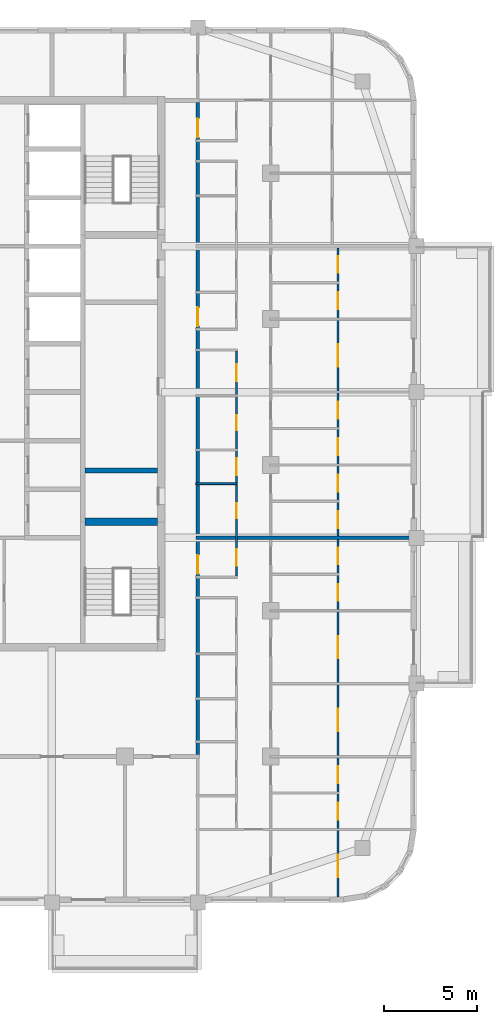
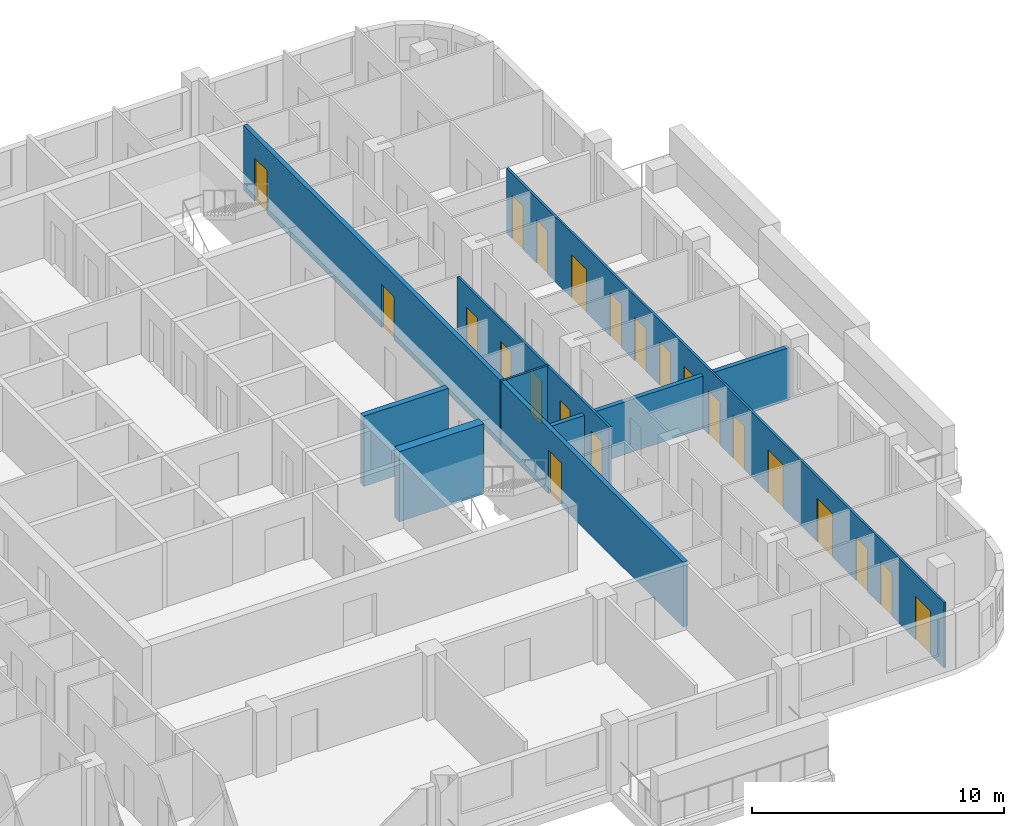
# One storey, part 7 of 16: 22 doors, 7 walls, 22 openings.
"""IFC4 building model written with IfcOpenShell, lengths in metres."""

import ifcopenshell
import ifcopenshell.guid

model = None  # the IFC model being written
_history = None  # IfcOwnerHistory: only IFC2X3 demands one
_inside = {}  # id of a spatial element -> (the spatial element, [elements in it])
_under = {}  # id of a project, library or spatial element -> (it, [spatial elements below it])
_declared = {}  # id of a project -> (the project, [libraries it declares])
_typed = {}  # id of a type object -> (the type object, [elements of that type])
_made_of = {}  # id of a material, layer set ... -> (it, [elements and type objects made of it])


def new_model(schema):
    """Start an empty IFC model of exactly this schema.

    Asked for "IFC4X3", IfcOpenShell would pick the latest addendum, in which some entities
    have other attributes; the version numbers below select the first issue.
    IFC2X3 requires an IfcOwnerHistory on every rooted entity: one is made here for all.
    """
    global model, _history
    if schema == "IFC4X3":
        model = ifcopenshell.file(schema_version=(4, 3, 0, 0))
    else:
        model = ifcopenshell.file(schema=schema)
    _inside.clear()
    _under.clear()
    _declared.clear()
    _typed.clear()
    _made_of.clear()
    _history = None
    if model.schema == "IFC2X3":
        org = make("IfcOrganization", Name="unknown")
        user = make(
            "IfcPersonAndOrganization",
            ThePerson=make("IfcPerson", FamilyName="unknown"),
            TheOrganization=org,
        )
        app = make(
            "IfcApplication",
            ApplicationDeveloper=org,
            Version="unknown",
            ApplicationFullName="unknown",
            ApplicationIdentifier="unknown",
        )
        _history = make(
            "IfcOwnerHistory",
            OwningUser=user,
            OwningApplication=app,
            ChangeAction="ADDED",
            CreationDate=0,
        )
    return model


def make(cls, **values):
    """One entity of the class cls with the attributes given. An attribute that is None is left unset."""
    return model.create_entity(
        cls, **{name: value for name, value in values.items() if value is not None}
    )


def rooted(cls, **values):
    """An entity with a GlobalId (a new one), such as an element, a storey or a relation."""
    return make(cls, GlobalId=ifcopenshell.guid.new(), OwnerHistory=_history, **values)


def si_unit(unit_type, name, prefix=None):
    """IfcSIUnit, for example si_unit("LENGTHUNIT", "METRE", prefix="MILLI")."""
    return make("IfcSIUnit", UnitType=unit_type, Prefix=prefix, Name=name)


def assignment(units):
    """IfcUnitAssignment: the units of a project."""
    return None if units is None else make("IfcUnitAssignment", Units=units)


def point(xyz):
    """IfcCartesianPoint."""
    return None if xyz is None else make("IfcCartesianPoint", Coordinates=xyz)


def direction(xyz):
    """IfcDirection."""
    return None if xyz is None else make("IfcDirection", DirectionRatios=xyz)


def frame(location, z_axis=None, x_axis=None):
    """IfcAxis2Placement3D, a coordinate frame: its origin and axes. An axis left out is left unset."""
    return make(
        "IfcAxis2Placement3D",
        Location=point(location),
        Axis=direction(z_axis),
        RefDirection=direction(x_axis),
    )


def frame_2d(location, x_axis=None):
    """IfcAxis2Placement2D, a coordinate frame in the plane: its origin and x axis."""
    return make(
        "IfcAxis2Placement2D", Location=point(location), RefDirection=direction(x_axis)
    )


def origin():
    """The frame at (0, 0, 0) with its axes left unset."""
    return frame((0.0, 0.0, 0.0))


def place(relative_to, where):
    """IfcLocalPlacement: puts the frame where relative to a parent placement (None: the world)."""
    return make(
        "IfcLocalPlacement", PlacementRelTo=relative_to, RelativePlacement=where
    )


def context(
    kind, dimensions, precision=None, world=None, true_north=None, identifier=None
):
    """IfcGeometricRepresentationContext, for example the 3D "Model" context."""
    return make(
        "IfcGeometricRepresentationContext",
        ContextIdentifier=identifier,
        ContextType=kind,
        CoordinateSpaceDimension=dimensions,
        Precision=precision,
        WorldCoordinateSystem=world,
        TrueNorth=true_north,
    )


def subcontext(parent, identifier, kind, view, scale=None):
    """IfcGeometricRepresentationSubContext, for example "Body" below "Model"."""
    return make(
        "IfcGeometricRepresentationSubContext",
        ContextIdentifier=identifier,
        ContextType=kind,
        ParentContext=parent,
        TargetScale=scale,
        TargetView=view,
    )


def project(units=None, contexts=None):
    """IfcProject with its units and contexts."""
    return rooted(
        "IfcProject",
        Name="project",
        RepresentationContexts=contexts,
        UnitsInContext=assignment(units),
    )


def spatial(cls, under=None, at=None, **own):
    """A site, building, storey or space (cls), placed at a placement, below another one or the project."""
    s = rooted(cls, ObjectPlacement=at, **own)
    if under is not None:
        _under.setdefault(under.id(), (under, []))[1].append(s)
    return s


def profile(cls, at=None, kind="AREA", **sizes):
    """A parametric profile (cls). Its sizes go by their IFC names, for example OverallWidth=200.0."""
    return make(cls, ProfileType=kind, Position=at, **sizes)


def rectangle(**sizes):
    """IfcRectangleProfileDef."""
    return profile("IfcRectangleProfileDef", **sizes)


def extrude(swept, where, along, depth):
    """IfcExtrudedAreaSolid: the profile swept, set in the frame where, extruded along a direction by depth."""
    return make(
        "IfcExtrudedAreaSolid",
        SweptArea=swept,
        Position=where,
        ExtrudedDirection=direction(along),
        Depth=depth,
    )


def shape(context_of_items, identifier, shape_type, items):
    """IfcShapeRepresentation: the items that make up one representation, for example the "Body"."""
    return make(
        "IfcShapeRepresentation",
        ContextOfItems=context_of_items,
        RepresentationIdentifier=identifier,
        RepresentationType=shape_type,
        Items=items,
    )


def material(Name=None, Category=None):
    """IfcMaterial."""
    return make("IfcMaterial", Name=Name, Category=Category)


def layer(
    of_material, thickness, ventilated=None, Name=None, Category=None, Priority=None
):
    """IfcMaterialLayer: one layer of a wall or slab, of a material (None: an air gap)."""
    return make(
        "IfcMaterialLayer",
        Material=of_material,
        LayerThickness=thickness,
        IsVentilated=ventilated,
        Name=Name,
        Category=Category,
        Priority=Priority,
    )


def layer_set(layers, Name=None):
    """IfcMaterialLayerSet."""
    return make("IfcMaterialLayerSet", MaterialLayers=layers, LayerSetName=Name)


def made_of(thing, what):
    """Note that an element or type object is made of a material, layer set ...; save() writes the relation."""
    if what is not None:
        _made_of.setdefault(what.id(), (what, []))[1].append(thing)
    return thing


def type_object(cls, material=None, **own):
    """A type object (cls), such as IfcWallType, which elements share."""
    return made_of(rooted(cls, **own), material)


def element(
    cls,
    number,
    at=None,
    inside=None,
    cuts=None,
    type_object=None,
    material=None,
    context=None,
    identifier="Body",
    shape_type=None,
    held_by="IfcProductDefinitionShape",
    body=None,
    shapes=None,
    **own,
):
    """One element of the class cls, such as IfcWall. Its Tag is "e" and its number.

    at: its placement. inside: the storey or other place that contains it. cuts: it is an
    opening in that element (IfcRelVoidsElement). A single representation is given by context,
    identifier, shape_type and body (its items); several are given by shapes. held_by: the class
    of the entity that holds the representations. save() writes the other relations.
    """
    e = rooted(cls, Tag="e%d" % number, ObjectPlacement=at, **own)
    if body is not None:
        shapes = [shape(context, identifier, shape_type, body)]
    if shapes is not None:
        e.Representation = make(held_by, Representations=shapes)
    if inside is not None:
        _inside.setdefault(inside.id(), (inside, []))[1].append(e)
    if cuts is not None:
        rooted(
            "IfcRelVoidsElement", RelatingBuildingElement=cuts, RelatedOpeningElement=e
        )
    if type_object is not None:
        _typed.setdefault(type_object.id(), (type_object, []))[1].append(e)
    return made_of(e, material)


def fill(opening, filler):
    """IfcRelFillsElement: the door or window that sits in an opening."""
    return rooted(
        "IfcRelFillsElement",
        RelatingOpeningElement=opening,
        RelatedBuildingElement=filler,
    )


def aggregate(whole, parts):
    """IfcRelAggregates: a whole, such as a stair, and the parts it consists of."""
    return rooted("IfcRelAggregates", RelatingObject=whole, RelatedObjects=parts)


def save(model, path):
    """Write the relations noted so far, then the file.

    IfcRelAggregates (storeys below a building ...), IfcRelContainedInSpatialStructure (elements
    in a storey), IfcRelDefinesByType, IfcRelAssociatesMaterial and IfcRelDeclares: one each for
    every whole, place, type object, material and project.
    """
    for whole, parts in _under.values():
        aggregate(whole, parts)
    for where, things in _inside.values():
        rooted(
            "IfcRelContainedInSpatialStructure",
            RelatedElements=things,
            RelatingStructure=where,
        )
    for kind, things in _typed.values():
        rooted("IfcRelDefinesByType", RelatedObjects=things, RelatingType=kind)
    for what, things in _made_of.values():
        rooted("IfcRelAssociatesMaterial", RelatedObjects=things, RelatingMaterial=what)
    for by, libraries in _declared.values():
        rooted("IfcRelDeclares", RelatingContext=by, RelatedDefinitions=libraries)
    model.write(path)


model = new_model("IFC4")

# Units and contexts
model_context = context("Model", 3, precision=1e-05, world=origin(), true_north=direction((0.0, 1.0)))
body_context = subcontext(model_context, "Body", "Model", "MODEL_VIEW")
ifc_project = project(units=[si_unit("LENGTHUNIT", "METRE"), si_unit("AREAUNIT", "SQUARE_METRE"), si_unit("VOLUMEUNIT", "CUBIC_METRE"), si_unit("PLANEANGLEUNIT", "RADIAN"), si_unit("MASSUNIT", "GRAM", prefix="KILO")], contexts=[model_context])

# Site, building, storey
site_placement = place(None, origin())
site = spatial("IfcSite", under=ifc_project, at=site_placement, CompositionType="ELEMENT")
building_placement = place(site_placement, origin())
building = spatial("IfcBuilding", under=site, at=building_placement, Name="Ludao Terraces", CompositionType="ELEMENT")
storey_placement = place(building_placement, frame((0.0, 0.0, 227.89990234375)))
storey = spatial("IfcBuildingStorey", under=building, at=storey_placement, Name="L62", CompositionType="ELEMENT", Elevation=227.89990234375)

# Wall, openings, doors
ifc_material_1 = material(Name="Autoclaved aerated concrete block B06 A3.5", Category="concrete")
ifc_layer_1 = layer(ifc_material_1, 0.199951171875)
ifc_layer_set_1 = layer_set([ifc_layer_1], Name="INT Entrance wall 200")
wall_type_1 = type_object("IfcWallType", Name="INT Entrance wall 200", PredefinedType="PARTITIONING", material=ifc_layer_set_1)
wall_1_placement = place(storey_placement, frame((96.699951171875, 49.5, 0.0), z_axis=(0.0, 0.0, 1.0), x_axis=(0.0, 1.0, 0.0)))
wall_1 = element("IfcWall", 1, at=wall_1_placement, inside=storey, type_object=wall_type_1, Name="PW-L62-PW089", PredefinedType="PARTITIONING", context=body_context, shape_type="SweptSolid", body=[
    extrude(rectangle(XDim=34.900146484375, YDim=0.199951171875, at=frame_2d((17.4501953125, 0.0))), origin(), (0.0, 0.0, 1.0), 3.150146484375),
])
opening_1_placement = place(wall_1_placement, frame((9.675048828125, 0.0, 0.0)))
opening_1 = element("IfcOpeningElement", 2, at=opening_1_placement, cuts=wall_1, Name="Opening R22-040", PredefinedType="OPENING", context=body_context, shape_type="SweptSolid", body=[
    extrude(rectangle(XDim=1.0, YDim=2.10009765625, at=frame_2d((0.5, 1.050048828125))), frame((0.0, 0.10986328125, 0.0), z_axis=(0.0, -1.0, 0.0), x_axis=(1.0, 0.0, 0.0)), (0.0, 0.0, 1.0), 0.219970703125),
])
opening_2_placement = place(wall_1_placement, frame((22.925048828125, 0.0, 0.0)))
opening_2 = element("IfcOpeningElement", 3, at=opening_2_placement, cuts=wall_1, Name="Opening R22-089", PredefinedType="OPENING", context=body_context, shape_type="SweptSolid", body=[
    extrude(rectangle(XDim=1.0, YDim=2.10009765625, at=frame_2d((0.5, 1.050048828125))), frame((0.0, 0.10986328125, 0.0), z_axis=(0.0, -1.0, 0.0), x_axis=(1.0, 0.0, 0.0)), (0.0, 0.0, 1.0), 0.219970703125),
])
opening_3_placement = place(wall_1_placement, frame((33.025146484375, 0.0, 0.0)))
opening_3 = element("IfcOpeningElement", 4, at=opening_3_placement, cuts=wall_1, Name="Opening R22-122", PredefinedType="OPENING", context=body_context, shape_type="SweptSolid", body=[
    extrude(rectangle(XDim=1.0, YDim=2.10009765625, at=frame_2d((0.5, 1.050048828125))), frame((0.0, 0.10986328125, 0.0), z_axis=(0.0, -1.0, 0.0), x_axis=(1.0, 0.0, 0.0)), (0.0, 0.0, 1.0), 0.219970703125),
])
ifc_material_2 = material(Name="Steel Q235", Category="steel")
door_type_1 = type_object("IfcDoorType", Name="INT Flat entrance door 1000", OperationType="SINGLE_SWING_LEFT", PredefinedType="DOOR", material=ifc_material_2)
door_1_placement = place(opening_1_placement, origin())
door_1 = element("IfcDoor", 5, at=door_1_placement, inside=storey, type_object=door_type_1, Name="DOOR 040", OperationType="SINGLE_SWING_LEFT", OverallHeight=2.10009765625, OverallWidth=1.0, PredefinedType="DOOR", context=body_context, shape_type="SweptSolid", body=[
    extrude(rectangle(XDim=1.0, YDim=2.10009765625, at=frame_2d((0.5, 1.050048828125))), frame((0.0, 0.02490234375, 0.0), z_axis=(0.0, -1.0, 0.0), x_axis=(1.0, 0.0, 0.0)), (0.0, 0.0, 1.0), 0.050048828125),
])
fill(opening_1, door_1)
door_2_placement = place(opening_2_placement, origin())
door_2 = element("IfcDoor", 6, at=door_2_placement, inside=storey, type_object=door_type_1, Name="DOOR 089", OperationType="SINGLE_SWING_LEFT", OverallHeight=2.10009765625, OverallWidth=1.0, PredefinedType="DOOR", context=body_context, shape_type="SweptSolid", body=[
    extrude(rectangle(XDim=1.0, YDim=2.10009765625, at=frame_2d((0.5, 1.050048828125))), frame((0.0, 0.02490234375, 0.0), z_axis=(0.0, -1.0, 0.0), x_axis=(1.0, 0.0, 0.0)), (0.0, 0.0, 1.0), 0.050048828125),
])
fill(opening_2, door_2)
door_3_placement = place(opening_3_placement, origin())
door_3 = element("IfcDoor", 7, at=door_3_placement, inside=storey, type_object=door_type_1, Name="DOOR 122", OperationType="SINGLE_SWING_LEFT", OverallHeight=2.10009765625, OverallWidth=1.0, PredefinedType="DOOR", context=body_context, shape_type="SweptSolid", body=[
    extrude(rectangle(XDim=1.0, YDim=2.10009765625, at=frame_2d((0.5, 1.050048828125))), frame((0.0, 0.02490234375, 0.0), z_axis=(0.0, -1.0, 0.0), x_axis=(1.0, 0.0, 0.0)), (0.0, 0.0, 1.0), 0.050048828125),
])
fill(opening_3, door_3)

# Wall
ifc_material_3 = material(Name="Gypsum plasterboard", Category="gypsum")
ifc_layer_2 = layer(ifc_material_3, 0.012451171875, Category="gypsum")
ifc_material_4 = material(Name="Mineral wool")
ifc_layer_3 = layer(ifc_material_4, 0.06005859375, Name="insulation")
ifc_layer_4 = layer(ifc_material_2, 0.014892578125, Name="stud")
ifc_layer_5 = layer(ifc_material_3, 0.012451171875, Category="gypsum")
ifc_layer_set_2 = layer_set([ifc_layer_2, ifc_layer_3, ifc_layer_4, ifc_layer_5], Name="INT Partition 100")
wall_type_2 = type_object("IfcWallType", Name="INT Partition 100", PredefinedType="PARTITIONING", material=ifc_layer_set_2)
wall_2_placement = place(storey_placement, frame((96.60009765625, 64.0, 0.0), z_axis=(0.0, 0.0, 1.0), x_axis=(1.0, 0.0, 0.0)))
element("IfcWall", 8, at=wall_2_placement, inside=storey, type_object=wall_type_2, Name="PW-L62-PW030", PredefinedType="PARTITIONING", context=body_context, shape_type="SweptSolid", body=[
    extrude(rectangle(XDim=2.219970703125, YDim=0.10009765625, at=frame_2d((1.10986328125, 0.0))), origin(), (0.0, 0.0, 1.0), 3.150146484375),
])

# Wall, openings, doors
wall_3_placement = place(storey_placement, frame((98.77001953125, 59.050048828125, 0.0), z_axis=(0.0, 0.0, 1.0), x_axis=(0.0, 1.0, 0.0)))
wall_3 = element("IfcWall", 9, at=wall_3_placement, inside=storey, type_object=wall_type_2, Name="PW-L62-PW092", PredefinedType="PARTITIONING", context=body_context, shape_type="SweptSolid", body=[
    extrude(rectangle(XDim=12.050048828125, YDim=0.10009765625, at=frame_2d((6.02490234375, 0.0))), origin(), (0.0, 0.0, 1.0), 3.150146484375),
])
opening_4_placement = place(wall_3_placement, frame((0.550048828125, 0.0, 0.0)))
opening_4 = element("IfcOpeningElement", 10, at=opening_4_placement, cuts=wall_3, Name="Opening R22-041", PredefinedType="OPENING", context=body_context, shape_type="SweptSolid", body=[
    extrude(rectangle(XDim=0.89990234375, YDim=2.10009765625, at=frame_2d((0.449951171875, 1.050048828125))), frame((0.0, 0.06005859375, 0.0), z_axis=(0.0, -1.0, 0.0), x_axis=(1.0, 0.0, 0.0)), (0.0, 0.0, 1.0), 0.1201171875),
])
opening_5_placement = place(wall_3_placement, frame((3.10009765625, 0.0, 0.0)))
opening_5 = element("IfcOpeningElement", 11, at=opening_5_placement, cuts=wall_3, Name="Opening R22-052", PredefinedType="OPENING", context=body_context, shape_type="SweptSolid", body=[
    extrude(rectangle(XDim=0.800048828125, YDim=2.10009765625, at=frame_2d((0.39990234375, 1.050048828125))), frame((0.0, 0.06005859375, 0.0), z_axis=(0.0, -1.0, 0.0), x_axis=(1.0, 0.0, 0.0)), (0.0, 0.0, 1.0), 0.1201171875),
])
opening_6_placement = place(wall_3_placement, frame((5.39990234375, 0.0, 0.0)))
opening_6 = element("IfcOpeningElement", 12, at=opening_6_placement, cuts=wall_3, Name="Opening R22-060", PredefinedType="OPENING", context=body_context, shape_type="SweptSolid", body=[
    extrude(rectangle(XDim=0.89990234375, YDim=2.10009765625, at=frame_2d((0.449951171875, 1.050048828125))), frame((0.0, 0.06005859375, 0.0), z_axis=(0.0, -1.0, 0.0), x_axis=(1.0, 0.0, 0.0)), (0.0, 0.0, 1.0), 0.1201171875),
])
opening_7_placement = place(wall_3_placement, frame((7.800048828125, 0.0, 0.0)))
opening_7 = element("IfcOpeningElement", 13, at=opening_7_placement, cuts=wall_3, Name="Opening R22-069", PredefinedType="OPENING", context=body_context, shape_type="SweptSolid", body=[
    extrude(rectangle(XDim=0.800048828125, YDim=2.10009765625, at=frame_2d((0.39990234375, 1.050048828125))), frame((0.0, 0.06005859375, 0.0), z_axis=(0.0, -1.0, 0.0), x_axis=(1.0, 0.0, 0.0)), (0.0, 0.0, 1.0), 0.1201171875),
])
opening_8_placement = place(wall_3_placement, frame((10.425048828125, 0.0, 0.0)))
opening_8 = element("IfcOpeningElement", 14, at=opening_8_placement, cuts=wall_3, Name="Opening R22-078", PredefinedType="OPENING", context=body_context, shape_type="SweptSolid", body=[
    extrude(rectangle(XDim=0.89990234375, YDim=2.10009765625, at=frame_2d((0.449951171875, 1.050048828125))), frame((0.0, 0.06005859375, 0.0), z_axis=(0.0, -1.0, 0.0), x_axis=(1.0, 0.0, 0.0)), (0.0, 0.0, 1.0), 0.1201171875),
])
ifc_material_5 = material(Name="Timber door leaf", Category="wood")
door_type_2 = type_object("IfcDoorType", Name="INT Bathroom door 900", OperationType="SINGLE_SWING_LEFT", PredefinedType="DOOR", material=ifc_material_5)
door_4_placement = place(opening_6_placement, origin())
door_4 = element("IfcDoor", 15, at=door_4_placement, inside=storey, type_object=door_type_2, Name="DOOR 060", OperationType="SINGLE_SWING_RIGHT", OverallHeight=2.10009765625, OverallWidth=0.89990234375, PredefinedType="DOOR", context=body_context, shape_type="SweptSolid", body=[
    extrude(rectangle(XDim=0.89990234375, YDim=2.10009765625, at=frame_2d((0.449951171875, 1.050048828125))), frame((0.0, 0.02490234375, 0.0), z_axis=(0.0, -1.0, 0.0), x_axis=(1.0, 0.0, 0.0)), (0.0, 0.0, 1.0), 0.050048828125),
])
fill(opening_6, door_4)
door_5_placement = place(opening_8_placement, origin())
door_5 = element("IfcDoor", 16, at=door_5_placement, inside=storey, type_object=door_type_2, Name="DOOR 078", OperationType="SINGLE_SWING_RIGHT", OverallHeight=2.10009765625, OverallWidth=0.89990234375, PredefinedType="DOOR", context=body_context, shape_type="SweptSolid", body=[
    extrude(rectangle(XDim=0.89990234375, YDim=2.10009765625, at=frame_2d((0.449951171875, 1.050048828125))), frame((0.0, 0.02490234375, 0.0), z_axis=(0.0, -1.0, 0.0), x_axis=(1.0, 0.0, 0.0)), (0.0, 0.0, 1.0), 0.050048828125),
])
fill(opening_8, door_5)
door_type_3 = type_object("IfcDoorType", Name="INT Room door 900", OperationType="SINGLE_SWING_LEFT", PredefinedType="DOOR", material=ifc_material_5)
door_6_placement = place(opening_4_placement, origin())
door_6 = element("IfcDoor", 17, at=door_6_placement, inside=storey, type_object=door_type_3, Name="DOOR 041", OperationType="SINGLE_SWING_RIGHT", OverallHeight=2.10009765625, OverallWidth=0.89990234375, PredefinedType="DOOR", context=body_context, shape_type="SweptSolid", body=[
    extrude(rectangle(XDim=0.89990234375, YDim=2.10009765625, at=frame_2d((0.449951171875, 1.050048828125))), frame((0.0, 0.02490234375, 0.0), z_axis=(0.0, -1.0, 0.0), x_axis=(1.0, 0.0, 0.0)), (0.0, 0.0, 1.0), 0.050048828125),
])
fill(opening_4, door_6)
door_type_4 = type_object("IfcDoorType", Name="INT Store door 800", OperationType="SINGLE_SWING_LEFT", PredefinedType="DOOR", material=ifc_material_5)
door_7_placement = place(opening_5_placement, origin())
door_7 = element("IfcDoor", 18, at=door_7_placement, inside=storey, type_object=door_type_4, Name="DOOR 052", OperationType="SINGLE_SWING_LEFT", OverallHeight=2.10009765625, OverallWidth=0.800048828125, PredefinedType="DOOR", context=body_context, shape_type="SweptSolid", body=[
    extrude(rectangle(XDim=0.800048828125, YDim=2.10009765625, at=frame_2d((0.39990234375, 1.050048828125))), frame((0.0, 0.02490234375, 0.0), z_axis=(0.0, -1.0, 0.0), x_axis=(1.0, 0.0, 0.0)), (0.0, 0.0, 1.0), 0.050048828125),
])
fill(opening_5, door_7)
door_8_placement = place(opening_7_placement, origin())
door_8 = element("IfcDoor", 19, at=door_8_placement, inside=storey, type_object=door_type_4, Name="DOOR 069", OperationType="SINGLE_SWING_LEFT", OverallHeight=2.10009765625, OverallWidth=0.800048828125, PredefinedType="DOOR", context=body_context, shape_type="SweptSolid", body=[
    extrude(rectangle(XDim=0.800048828125, YDim=2.10009765625, at=frame_2d((0.39990234375, 1.050048828125))), frame((0.0, 0.02490234375, 0.0), z_axis=(0.0, -1.0, 0.0), x_axis=(1.0, 0.0, 0.0)), (0.0, 0.0, 1.0), 0.050048828125),
])
fill(opening_7, door_8)

wall_4_placement = place(storey_placement, frame((104.199951171875, 41.900146484375, 0.0), z_axis=(0.0, 0.0, 1.0), x_axis=(0.0, 1.0, 0.0)))
wall_4 = element("IfcWall", 20, at=wall_4_placement, inside=storey, type_object=wall_type_2, Name="PW-L62-PW097", PredefinedType="PARTITIONING", context=body_context, shape_type="SweptSolid", body=[
    extrude(rectangle(XDim=34.699951171875, YDim=0.10009765625, at=frame_2d((17.35009765625, 0.0))), origin(), (0.0, 0.0, 1.0), 3.150146484375),
])
opening_9_placement = place(wall_4_placement, frame((1.050048828125, 0.0, 0.0)))
opening_9 = element("IfcOpeningElement", 21, at=opening_9_placement, cuts=wall_4, Name="Opening R22-004", PredefinedType="OPENING", context=body_context, shape_type="SweptSolid", body=[
    extrude(rectangle(XDim=1.199951171875, YDim=2.10009765625, at=frame_2d((0.60009765625, 1.050048828125))), frame((0.0, 0.06005859375, 0.0), z_axis=(0.0, -1.0, 0.0), x_axis=(1.0, 0.0, 0.0)), (0.0, 0.0, 1.0), 0.1201171875),
])
opening_10_placement = place(wall_4_placement, frame((4.125, 0.0, 0.0)))
opening_10 = element("IfcOpeningElement", 22, at=opening_10_placement, cuts=wall_4, Name="Opening R22-008", PredefinedType="OPENING", context=body_context, shape_type="SweptSolid", body=[
    extrude(rectangle(XDim=0.89990234375, YDim=2.10009765625, at=frame_2d((0.449951171875, 1.050048828125))), frame((0.0, 0.06005859375, 0.0), z_axis=(0.0, -1.0, 0.0), x_axis=(1.0, 0.0, 0.0)), (0.0, 0.0, 1.0), 0.1201171875),
])
opening_11_placement = place(wall_4_placement, frame((6.074951171875, 0.0, 0.0)))
opening_11 = element("IfcOpeningElement", 23, at=opening_11_placement, cuts=wall_4, Name="Opening R22-013", PredefinedType="OPENING", context=body_context, shape_type="SweptSolid", body=[
    extrude(rectangle(XDim=0.89990234375, YDim=2.10009765625, at=frame_2d((0.449951171875, 1.050048828125))), frame((0.0, 0.06005859375, 0.0), z_axis=(0.0, -1.0, 0.0), x_axis=(1.0, 0.0, 0.0)), (0.0, 0.0, 1.0), 0.1201171875),
])
opening_12_placement = place(wall_4_placement, frame((8.85009765625, 0.0, 0.0)))
opening_12 = element("IfcOpeningElement", 24, at=opening_12_placement, cuts=wall_4, Name="Opening R22-023", PredefinedType="OPENING", context=body_context, shape_type="SweptSolid", body=[
    extrude(rectangle(XDim=1.199951171875, YDim=2.10009765625, at=frame_2d((0.60009765625, 1.050048828125))), frame((0.0, 0.06005859375, 0.0), z_axis=(0.0, -1.0, 0.0), x_axis=(1.0, 0.0, 0.0)), (0.0, 0.0, 1.0), 0.1201171875),
])
opening_13_placement = place(wall_4_placement, frame((12.75, 0.0, 0.0)))
opening_13 = element("IfcOpeningElement", 25, at=opening_13_placement, cuts=wall_4, Name="Opening R22-030", PredefinedType="OPENING", context=body_context, shape_type="SweptSolid", body=[
    extrude(rectangle(XDim=1.199951171875, YDim=2.10009765625, at=frame_2d((0.60009765625, 1.050048828125))), frame((0.0, 0.06005859375, 0.0), z_axis=(0.0, -1.0, 0.0), x_axis=(1.0, 0.0, 0.0)), (0.0, 0.0, 1.0), 0.1201171875),
])
opening_14_placement = place(wall_4_placement, frame((15.824951171875, 0.0, 0.0)))
opening_14 = element("IfcOpeningElement", 26, at=opening_14_placement, cuts=wall_4, Name="Opening R22-038", PredefinedType="OPENING", context=body_context, shape_type="SweptSolid", body=[
    extrude(rectangle(XDim=0.89990234375, YDim=2.10009765625, at=frame_2d((0.449951171875, 1.050048828125))), frame((0.0, 0.06005859375, 0.0), z_axis=(0.0, -1.0, 0.0), x_axis=(1.0, 0.0, 0.0)), (0.0, 0.0, 1.0), 0.1201171875),
])
opening_15_placement = place(wall_4_placement, frame((17.77490234375, 0.0, 0.0)))
opening_15 = element("IfcOpeningElement", 27, at=opening_15_placement, cuts=wall_4, Name="Opening R22-045", PredefinedType="OPENING", context=body_context, shape_type="SweptSolid", body=[
    extrude(rectangle(XDim=0.89990234375, YDim=2.10009765625, at=frame_2d((0.449951171875, 1.050048828125))), frame((0.0, 0.06005859375, 0.0), z_axis=(0.0, -1.0, 0.0), x_axis=(1.0, 0.0, 0.0)), (0.0, 0.0, 1.0), 0.1201171875),
])
opening_16_placement = place(wall_4_placement, frame((19.72509765625, 0.0, 0.0)))
opening_16 = element("IfcOpeningElement", 28, at=opening_16_placement, cuts=wall_4, Name="Opening R22-049", PredefinedType="OPENING", context=body_context, shape_type="SweptSolid", body=[
    extrude(rectangle(XDim=0.89990234375, YDim=2.10009765625, at=frame_2d((0.449951171875, 1.050048828125))), frame((0.0, 0.06005859375, 0.0), z_axis=(0.0, -1.0, 0.0), x_axis=(1.0, 0.0, 0.0)), (0.0, 0.0, 1.0), 0.1201171875),
])
opening_17_placement = place(wall_4_placement, frame((21.675048828125, 0.0, 0.0)))
opening_17 = element("IfcOpeningElement", 29, at=opening_17_placement, cuts=wall_4, Name="Opening R22-059", PredefinedType="OPENING", context=body_context, shape_type="SweptSolid", body=[
    extrude(rectangle(XDim=0.89990234375, YDim=2.10009765625, at=frame_2d((0.449951171875, 1.050048828125))), frame((0.0, 0.06005859375, 0.0), z_axis=(0.0, -1.0, 0.0), x_axis=(1.0, 0.0, 0.0)), (0.0, 0.0, 1.0), 0.1201171875),
])
opening_18_placement = place(wall_4_placement, frame((23.625, 0.0, 0.0)))
opening_18 = element("IfcOpeningElement", 30, at=opening_18_placement, cuts=wall_4, Name="Opening R22-064", PredefinedType="OPENING", context=body_context, shape_type="SweptSolid", body=[
    extrude(rectangle(XDim=0.89990234375, YDim=2.10009765625, at=frame_2d((0.449951171875, 1.050048828125))), frame((0.0, 0.06005859375, 0.0), z_axis=(0.0, -1.0, 0.0), x_axis=(1.0, 0.0, 0.0)), (0.0, 0.0, 1.0), 0.1201171875),
])
opening_19_placement = place(wall_4_placement, frame((25.574951171875, 0.0, 0.0)))
opening_19 = element("IfcOpeningElement", 31, at=opening_19_placement, cuts=wall_4, Name="Opening R22-073", PredefinedType="OPENING", context=body_context, shape_type="SweptSolid", body=[
    extrude(rectangle(XDim=0.89990234375, YDim=2.10009765625, at=frame_2d((0.449951171875, 1.050048828125))), frame((0.0, 0.06005859375, 0.0), z_axis=(0.0, -1.0, 0.0), x_axis=(1.0, 0.0, 0.0)), (0.0, 0.0, 1.0), 0.1201171875),
])
opening_20_placement = place(wall_4_placement, frame((28.35009765625, 0.0, 0.0)))
opening_20 = element("IfcOpeningElement", 32, at=opening_20_placement, cuts=wall_4, Name="Opening R22-083", PredefinedType="OPENING", context=body_context, shape_type="SweptSolid", body=[
    extrude(rectangle(XDim=1.199951171875, YDim=2.10009765625, at=frame_2d((0.60009765625, 1.050048828125))), frame((0.0, 0.06005859375, 0.0), z_axis=(0.0, -1.0, 0.0), x_axis=(1.0, 0.0, 0.0)), (0.0, 0.0, 1.0), 0.1201171875),
])
opening_21_placement = place(wall_4_placement, frame((31.425048828125, 0.0, 0.0)))
opening_21 = element("IfcOpeningElement", 33, at=opening_21_placement, cuts=wall_4, Name="Opening R22-093", PredefinedType="OPENING", context=body_context, shape_type="SweptSolid", body=[
    extrude(rectangle(XDim=0.89990234375, YDim=2.10009765625, at=frame_2d((0.449951171875, 1.050048828125))), frame((0.0, 0.06005859375, 0.0), z_axis=(0.0, -1.0, 0.0), x_axis=(1.0, 0.0, 0.0)), (0.0, 0.0, 1.0), 0.1201171875),
])
opening_22_placement = place(wall_4_placement, frame((33.375, 0.0, 0.0)))
opening_22 = element("IfcOpeningElement", 34, at=opening_22_placement, cuts=wall_4, Name="Opening R22-102", PredefinedType="OPENING", context=body_context, shape_type="SweptSolid", body=[
    extrude(rectangle(XDim=0.89990234375, YDim=2.10009765625, at=frame_2d((0.449951171875, 1.050048828125))), frame((0.0, 0.06005859375, 0.0), z_axis=(0.0, -1.0, 0.0), x_axis=(1.0, 0.0, 0.0)), (0.0, 0.0, 1.0), 0.1201171875),
])
door_9_placement = place(opening_10_placement, origin())
door_9 = element("IfcDoor", 35, at=door_9_placement, inside=storey, type_object=door_type_2, Name="DOOR 008", OperationType="SINGLE_SWING_RIGHT", OverallHeight=2.10009765625, OverallWidth=0.89990234375, PredefinedType="DOOR", context=body_context, shape_type="SweptSolid", body=[
    extrude(rectangle(XDim=0.89990234375, YDim=2.10009765625, at=frame_2d((0.449951171875, 1.050048828125))), frame((0.0, 0.02490234375, 0.0), z_axis=(0.0, -1.0, 0.0), x_axis=(1.0, 0.0, 0.0)), (0.0, 0.0, 1.0), 0.050048828125),
])
fill(opening_10, door_9)
door_10_placement = place(opening_14_placement, origin())
door_10 = element("IfcDoor", 36, at=door_10_placement, inside=storey, type_object=door_type_2, Name="DOOR 038", OperationType="SINGLE_SWING_LEFT", OverallHeight=2.10009765625, OverallWidth=0.89990234375, PredefinedType="DOOR", context=body_context, shape_type="SweptSolid", body=[
    extrude(rectangle(XDim=0.89990234375, YDim=2.10009765625, at=frame_2d((0.449951171875, 1.050048828125))), frame((0.0, 0.02490234375, 0.0), z_axis=(0.0, -1.0, 0.0), x_axis=(1.0, 0.0, 0.0)), (0.0, 0.0, 1.0), 0.050048828125),
])
fill(opening_14, door_10)
door_11_placement = place(opening_16_placement, origin())
door_11 = element("IfcDoor", 37, at=door_11_placement, inside=storey, type_object=door_type_2, Name="DOOR 049", OperationType="SINGLE_SWING_LEFT", OverallHeight=2.10009765625, OverallWidth=0.89990234375, PredefinedType="DOOR", context=body_context, shape_type="SweptSolid", body=[
    extrude(rectangle(XDim=0.89990234375, YDim=2.10009765625, at=frame_2d((0.449951171875, 1.050048828125))), frame((0.0, 0.02490234375, 0.0), z_axis=(0.0, -1.0, 0.0), x_axis=(1.0, 0.0, 0.0)), (0.0, 0.0, 1.0), 0.050048828125),
])
fill(opening_16, door_11)
door_12_placement = place(opening_18_placement, origin())
door_12 = element("IfcDoor", 38, at=door_12_placement, inside=storey, type_object=door_type_2, Name="DOOR 064", OperationType="SINGLE_SWING_LEFT", OverallHeight=2.10009765625, OverallWidth=0.89990234375, PredefinedType="DOOR", context=body_context, shape_type="SweptSolid", body=[
    extrude(rectangle(XDim=0.89990234375, YDim=2.10009765625, at=frame_2d((0.449951171875, 1.050048828125))), frame((0.0, 0.02490234375, 0.0), z_axis=(0.0, -1.0, 0.0), x_axis=(1.0, 0.0, 0.0)), (0.0, 0.0, 1.0), 0.050048828125),
])
fill(opening_18, door_12)
door_13_placement = place(opening_21_placement, origin())
door_13 = element("IfcDoor", 39, at=door_13_placement, inside=storey, type_object=door_type_2, Name="DOOR 093", OperationType="SINGLE_SWING_LEFT", OverallHeight=2.10009765625, OverallWidth=0.89990234375, PredefinedType="DOOR", context=body_context, shape_type="SweptSolid", body=[
    extrude(rectangle(XDim=0.89990234375, YDim=2.10009765625, at=frame_2d((0.449951171875, 1.050048828125))), frame((0.0, 0.02490234375, 0.0), z_axis=(0.0, -1.0, 0.0), x_axis=(1.0, 0.0, 0.0)), (0.0, 0.0, 1.0), 0.050048828125),
])
fill(opening_21, door_13)
door_type_5 = type_object("IfcDoorType", Name="INT Double door 1200", OperationType="DOUBLE_DOOR_SINGLE_SWING", PredefinedType="DOOR", material=ifc_material_5)
door_14_placement = place(opening_9_placement, origin())
door_14 = element("IfcDoor", 40, at=door_14_placement, inside=storey, type_object=door_type_5, Name="DOOR 004", OperationType="DOUBLE_DOOR_SINGLE_SWING", OverallHeight=2.10009765625, OverallWidth=1.199951171875, PredefinedType="DOOR", context=body_context, shape_type="SweptSolid", body=[
    extrude(rectangle(XDim=1.199951171875, YDim=2.10009765625, at=frame_2d((0.60009765625, 1.050048828125))), frame((0.0, 0.02490234375, 0.0), z_axis=(0.0, -1.0, 0.0), x_axis=(1.0, 0.0, 0.0)), (0.0, 0.0, 1.0), 0.050048828125),
])
fill(opening_9, door_14)
door_15_placement = place(opening_12_placement, origin())
door_15 = element("IfcDoor", 41, at=door_15_placement, inside=storey, type_object=door_type_5, Name="DOOR 023", OperationType="DOUBLE_DOOR_SINGLE_SWING", OverallHeight=2.10009765625, OverallWidth=1.199951171875, PredefinedType="DOOR", context=body_context, shape_type="SweptSolid", body=[
    extrude(rectangle(XDim=1.199951171875, YDim=2.10009765625, at=frame_2d((0.60009765625, 1.050048828125))), frame((0.0, 0.02490234375, 0.0), z_axis=(0.0, -1.0, 0.0), x_axis=(1.0, 0.0, 0.0)), (0.0, 0.0, 1.0), 0.050048828125),
])
fill(opening_12, door_15)
door_16_placement = place(opening_13_placement, origin())
door_16 = element("IfcDoor", 42, at=door_16_placement, inside=storey, type_object=door_type_5, Name="DOOR 030", OperationType="DOUBLE_DOOR_SINGLE_SWING", OverallHeight=2.10009765625, OverallWidth=1.199951171875, PredefinedType="DOOR", context=body_context, shape_type="SweptSolid", body=[
    extrude(rectangle(XDim=1.199951171875, YDim=2.10009765625, at=frame_2d((0.60009765625, 1.050048828125))), frame((0.0, 0.02490234375, 0.0), z_axis=(0.0, -1.0, 0.0), x_axis=(1.0, 0.0, 0.0)), (0.0, 0.0, 1.0), 0.050048828125),
])
fill(opening_13, door_16)
door_17_placement = place(opening_20_placement, origin())
door_17 = element("IfcDoor", 43, at=door_17_placement, inside=storey, type_object=door_type_5, Name="DOOR 083", OperationType="DOUBLE_DOOR_SINGLE_SWING", OverallHeight=2.10009765625, OverallWidth=1.199951171875, PredefinedType="DOOR", context=body_context, shape_type="SweptSolid", body=[
    extrude(rectangle(XDim=1.199951171875, YDim=2.10009765625, at=frame_2d((0.60009765625, 1.050048828125))), frame((0.0, 0.02490234375, 0.0), z_axis=(0.0, -1.0, 0.0), x_axis=(1.0, 0.0, 0.0)), (0.0, 0.0, 1.0), 0.050048828125),
])
fill(opening_20, door_17)
door_18_placement = place(opening_11_placement, origin())
door_18 = element("IfcDoor", 44, at=door_18_placement, inside=storey, type_object=door_type_3, Name="DOOR 013", OperationType="SINGLE_SWING_LEFT", OverallHeight=2.10009765625, OverallWidth=0.89990234375, PredefinedType="DOOR", context=body_context, shape_type="SweptSolid", body=[
    extrude(rectangle(XDim=0.89990234375, YDim=2.10009765625, at=frame_2d((0.449951171875, 1.050048828125))), frame((0.0, 0.02490234375, 0.0), z_axis=(0.0, -1.0, 0.0), x_axis=(1.0, 0.0, 0.0)), (0.0, 0.0, 1.0), 0.050048828125),
])
fill(opening_11, door_18)
door_19_placement = place(opening_15_placement, origin())
door_19 = element("IfcDoor", 45, at=door_19_placement, inside=storey, type_object=door_type_3, Name="DOOR 045", OperationType="SINGLE_SWING_LEFT", OverallHeight=2.10009765625, OverallWidth=0.89990234375, PredefinedType="DOOR", context=body_context, shape_type="SweptSolid", body=[
    extrude(rectangle(XDim=0.89990234375, YDim=2.10009765625, at=frame_2d((0.449951171875, 1.050048828125))), frame((0.0, 0.02490234375, 0.0), z_axis=(0.0, -1.0, 0.0), x_axis=(1.0, 0.0, 0.0)), (0.0, 0.0, 1.0), 0.050048828125),
])
fill(opening_15, door_19)
door_20_placement = place(opening_17_placement, origin())
door_20 = element("IfcDoor", 46, at=door_20_placement, inside=storey, type_object=door_type_3, Name="DOOR 059", OperationType="SINGLE_SWING_LEFT", OverallHeight=2.10009765625, OverallWidth=0.89990234375, PredefinedType="DOOR", context=body_context, shape_type="SweptSolid", body=[
    extrude(rectangle(XDim=0.89990234375, YDim=2.10009765625, at=frame_2d((0.449951171875, 1.050048828125))), frame((0.0, 0.02490234375, 0.0), z_axis=(0.0, -1.0, 0.0), x_axis=(1.0, 0.0, 0.0)), (0.0, 0.0, 1.0), 0.050048828125),
])
fill(opening_17, door_20)
door_21_placement = place(opening_19_placement, origin())
door_21 = element("IfcDoor", 47, at=door_21_placement, inside=storey, type_object=door_type_3, Name="DOOR 073", OperationType="SINGLE_SWING_RIGHT", OverallHeight=2.10009765625, OverallWidth=0.89990234375, PredefinedType="DOOR", context=body_context, shape_type="SweptSolid", body=[
    extrude(rectangle(XDim=0.89990234375, YDim=2.10009765625, at=frame_2d((0.449951171875, 1.050048828125))), frame((0.0, 0.02490234375, 0.0), z_axis=(0.0, -1.0, 0.0), x_axis=(1.0, 0.0, 0.0)), (0.0, 0.0, 1.0), 0.050048828125),
])
fill(opening_19, door_21)
door_22_placement = place(opening_22_placement, origin())
door_22 = element("IfcDoor", 48, at=door_22_placement, inside=storey, type_object=door_type_3, Name="DOOR 102", OperationType="SINGLE_SWING_RIGHT", OverallHeight=2.10009765625, OverallWidth=0.89990234375, PredefinedType="DOOR", context=body_context, shape_type="SweptSolid", body=[
    extrude(rectangle(XDim=0.89990234375, YDim=2.10009765625, at=frame_2d((0.449951171875, 1.050048828125))), frame((0.0, 0.02490234375, 0.0), z_axis=(0.0, -1.0, 0.0), x_axis=(1.0, 0.0, 0.0)), (0.0, 0.0, 1.0), 0.050048828125),
])
fill(opening_22, door_22)

# Walls
ifc_layer_6 = layer(ifc_material_1, 0.199951171875)
ifc_layer_set_3 = layer_set([ifc_layer_6], Name="INT Party wall 200")
wall_type_3 = type_object("IfcWallType", Name="INT Party wall 200", PredefinedType="PARTITIONING", material=ifc_layer_set_3)
wall_5_placement = place(storey_placement, frame((96.60009765625, 61.10009765625, 0.0), z_axis=(0.0, 0.0, 1.0), x_axis=(1.0, 0.0, 0.0)))
element("IfcWall", 49, at=wall_5_placement, inside=storey, type_object=wall_type_3, Name="PW-L62-PW027", PredefinedType="PARTITIONING", context=body_context, shape_type="SweptSolid", body=[
    extrude(rectangle(XDim=11.5, YDim=0.199951171875, at=frame_2d((5.75, 0.0))), origin(), (0.0, 0.0, 1.0), 2.550048828125),
])
ifc_material_6 = material(Name="Concrete C50", Category="concrete")
ifc_layer_7 = layer(ifc_material_6, 0.25)
ifc_layer_set_4 = layer_set([ifc_layer_7], Name="Shaft wall 250 C50")
wall_type_4 = type_object("IfcWallType", Name="Shaft wall 250 C50", PredefinedType="SOLIDWALL", material=ifc_layer_set_4)
wall_6_placement = place(storey_placement, frame((90.675048828125, 64.699951171875, -0.25), z_axis=(0.0, 0.0, 1.0), x_axis=(1.0, 0.0, 0.0)))
element("IfcWall", 50, at=wall_6_placement, inside=storey, type_object=wall_type_4, Name="Core wall L62 riser-a-E", PredefinedType="SOLIDWALL", context=body_context, shape_type="SweptSolid", body=[
    extrude(rectangle(XDim=3.875, YDim=0.25, at=frame_2d((1.9375, 0.0))), origin(), (0.0, 0.0, 1.0), 3.400146484375),
])
ifc_layer_8 = layer(ifc_material_6, 0.39990234375)
ifc_layer_set_5 = layer_set([ifc_layer_8], Name="Shaft wall 400 C50")
wall_type_5 = type_object("IfcWallType", Name="Shaft wall 400 C50", PredefinedType="SOLIDWALL", material=ifc_layer_set_5)
wall_7_placement = place(storey_placement, frame((90.675048828125, 61.949951171875, -0.25), z_axis=(0.0, 0.0, 1.0), x_axis=(1.0, 0.0, 0.0)))
element("IfcWall", 51, at=wall_7_placement, inside=storey, type_object=wall_type_5, Name="Core wall L62 hall-E", PredefinedType="SOLIDWALL", context=body_context, shape_type="SweptSolid", body=[
    extrude(rectangle(XDim=3.875, YDim=0.39990234375, at=frame_2d((1.9375, 0.0))), origin(), (0.0, 0.0, 1.0), 3.400146484375),
])

save(model, "model.ifc")
